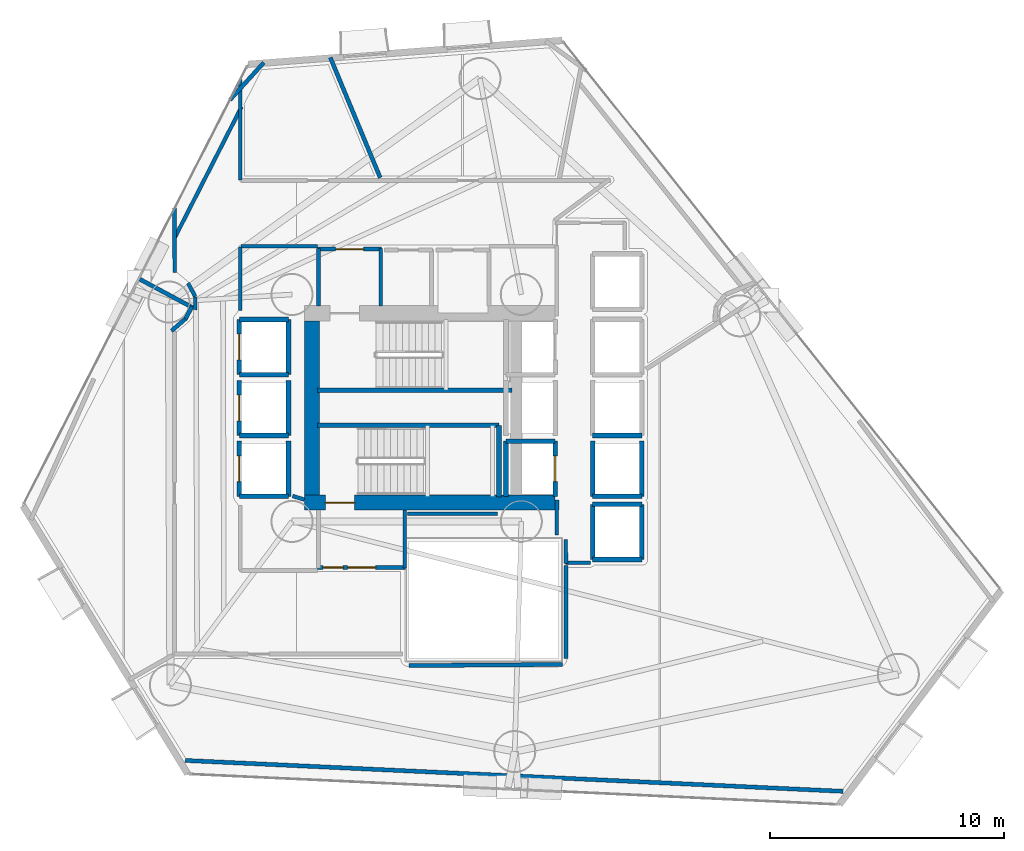
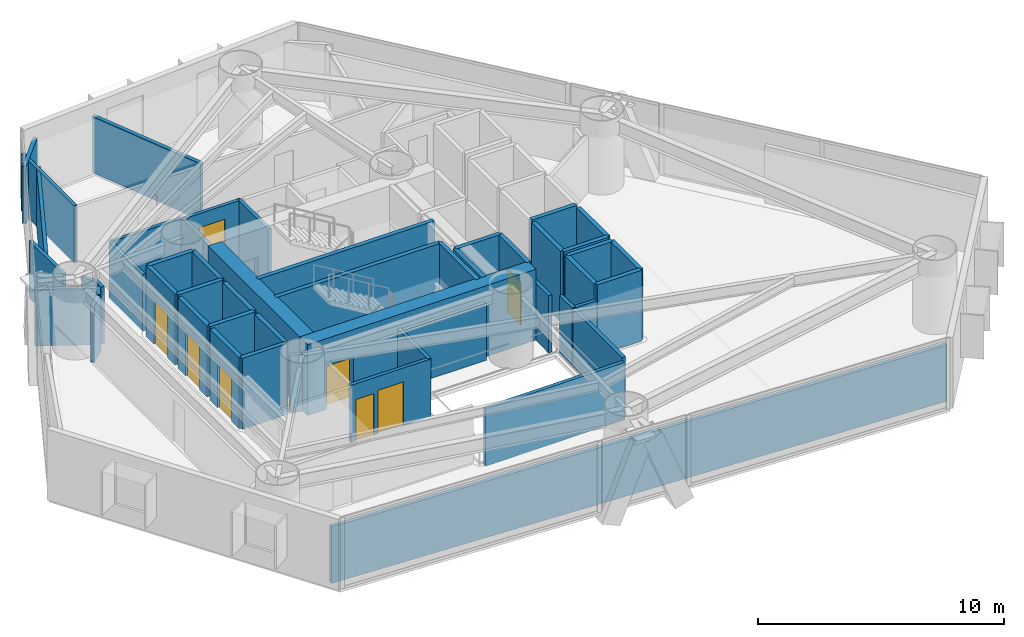
# One storey, part 17 of 23: 51 walls, 8 doors, 8 openings.
"""IFC4 building model written with IfcOpenShell, lengths in metres."""

from ifc_helpers import new_model, si_unit, direction, frame, frame_2d, origin, place, context, subcontext, project, spatial, rectangle, extrude, material, layer, layer_set, type_object, element, fill, save


model = new_model("IFC4")

# Units and contexts
model_context = context("Model", 3, precision=1e-05, world=origin(), true_north=direction((0.0, 1.0)))
body_context = subcontext(model_context, "Body", "Model", "MODEL_VIEW")
ifc_project = project(units=[si_unit("LENGTHUNIT", "METRE"), si_unit("AREAUNIT", "SQUARE_METRE"), si_unit("VOLUMEUNIT", "CUBIC_METRE"), si_unit("PLANEANGLEUNIT", "RADIAN"), si_unit("MASSUNIT", "GRAM", prefix="KILO")], contexts=[model_context])

# Site, building, storey
site_placement = place(None, origin())
site = spatial("IfcSite", under=ifc_project, at=site_placement, CompositionType="ELEMENT")
building_placement = place(site_placement, origin())
building = spatial("IfcBuilding", under=site, at=building_placement, Name="Qianvela Tower", CompositionType="ELEMENT")
storey_placement = place(building_placement, frame((0.0, 0.0, 29.39990234375)))
storey = spatial("IfcBuildingStorey", under=building, at=storey_placement, Name="L06", CompositionType="ELEMENT", Elevation=29.39990234375)

# Wall, opening, door
ifc_material_1 = material(Name="Concrete C60", Category="concrete")
ifc_layer_1 = layer(ifc_material_1, 0.64990234375)
ifc_layer_set_1 = layer_set([ifc_layer_1], Name="Concrete C60")
wall_type_1 = type_object("IfcWallType", Name="WT-CORE-650", PredefinedType="SHEAR", material=ifc_layer_set_1)
wall_1_placement = place(storey_placement, frame((29.1298828125, 24.655029296875, 0.0), z_axis=(0.0, 0.0, 1.0), x_axis=(1.0, 0.0, 0.0)))
wall_1 = element("IfcWall", 1, at=wall_1_placement, inside=storey, type_object=wall_type_1, Name="L06 South Core Shear Wall", PredefinedType="SHEAR", context=body_context, shape_type="SweptSolid", body=[
    extrude(rectangle(XDim=10.72021484375, YDim=0.64990234375, at=frame_2d((5.360107421875, 0.0))), origin(), (0.0, 0.0, 1.0), 3.52001953125),
])
opening_1_placement = place(wall_1_placement, frame((0.89501953125, 0.0, 0.0)))
opening_1 = element("IfcOpeningElement", 2, at=opening_1_placement, cuts=wall_1, Name="Opening D-ST1", PredefinedType="OPENING", context=body_context, shape_type="SweptSolid", body=[
    extrude(rectangle(XDim=1.25, YDim=2.14990234375, at=frame_2d((0.625, 1.074951171875))), frame((0.0, 0.3349609375, 0.0), z_axis=(0.0, -1.0, 0.0), x_axis=(1.0, 0.0, 0.0)), (0.0, 0.0, 1.0), 0.669921875),
])
ifc_material_2 = material(Name="Galvanised Fire Steel Q355B", Category="steel")
door_type_1 = type_object("IfcDoorType", Name="DT-STAIR-FD90", OperationType="NOTDEFINED", PredefinedType="DOOR", material=ifc_material_2)
door_1_placement = place(opening_1_placement, origin())
door_1 = element("IfcDoor", 3, at=door_1_placement, inside=storey, type_object=door_type_1, Name="L06 Stair ST-2 Exit Door", OperationType="SINGLE_SWING_RIGHT", OverallHeight=2.14990234375, OverallWidth=1.25, PredefinedType="DOOR", context=body_context, shape_type="SweptSolid", body=[
    extrude(rectangle(XDim=1.25, YDim=2.14990234375, at=frame_2d((0.625, 1.074951171875))), frame((0.0, 0.02490234375, 0.0), z_axis=(0.0, -1.0, 0.0), x_axis=(1.0, 0.0, 0.0)), (0.0, 0.0, 1.0), 0.050048828125),
])
fill(opening_1, door_1)

# Walls
wall_2_placement = place(storey_placement, frame((29.455078125, 24.97998046875, 0.0), z_axis=(0.0, 0.0, 1.0), x_axis=(0.0, 1.0, 0.0)))
element("IfcWall", 4, at=wall_2_placement, inside=storey, type_object=wall_type_1, Name="L06 West Core Shear Wall", PredefinedType="SHEAR", context=body_context, shape_type="SweptSolid", body=[
    extrude(rectangle(XDim=7.43994140625, YDim=0.64990234375, at=frame_2d((3.719970703125, 0.0))), origin(), (0.0, 0.0, 1.0), 3.52001953125),
])
ifc_material_3 = material(Name="Fire-Rated Gypsum and Concrete Block", Category="concrete")
ifc_layer_2 = layer(ifc_material_3, 0.159912109375)
ifc_layer_set_2 = layer_set([ifc_layer_2], Name="Fire-Rated Gypsum and Concrete Block")
wall_type_2 = type_object("IfcWallType", Name="WT-CORR-160", PredefinedType="PARTITIONING", material=ifc_layer_set_2)
wall_3_placement = place(storey_placement, frame((29.73095703125, 33.05810546875, 0.0), z_axis=(0.0, 0.0, 1.0), x_axis=(0.0, 1.0, 0.0)))
element("IfcWall", 5, at=wall_3_placement, inside=storey, type_object=wall_type_2, Name="L06 Partition 2", PredefinedType="PARTITIONING", context=body_context, shape_type="SweptSolid", body=[
    extrude(rectangle(XDim=2.4619140625, YDim=0.159912109375, at=frame_2d((1.23095703125, 0.0))), origin(), (0.0, 0.0, 1.0), 2.840087890625),
])

# Wall, opening, door
wall_4_placement = place(storey_placement, frame((29.699951171875, 35.489013671875, 0.0), z_axis=(0.0, 0.0, 1.0), x_axis=(1.0, 0.0, 0.0)))
wall_4 = element("IfcWall", 6, at=wall_4_placement, inside=storey, type_object=wall_type_2, Name="L06 Partition 3", PredefinedType="PARTITIONING", context=body_context, shape_type="SweptSolid", body=[
    extrude(rectangle(XDim=2.719970703125, YDim=0.159912109375, at=frame_2d((1.35986328125, 0.0))), origin(), (0.0, 0.0, 1.0), 2.840087890625),
])
opening_2_placement = place(wall_4_placement, frame((0.760009765625, 0.0, 0.0)))
opening_2 = element("IfcOpeningElement", 7, at=opening_2_placement, cuts=wall_4, Name="Opening D-LB1", PredefinedType="OPENING", context=body_context, shape_type="SweptSolid", body=[
    extrude(rectangle(XDim=1.199951171875, YDim=2.14990234375, at=frame_2d((0.60009765625, 1.074951171875))), frame((0.0, 0.08984375, 0.0), z_axis=(0.0, -1.0, 0.0), x_axis=(1.0, 0.0, 0.0)), (0.0, 0.0, 1.0), 0.179931640625),
])
ifc_material_4 = material(Name="Glazed Fire-Rated Steel Frame", Category="steel")
door_type_2 = type_object("IfcDoorType", Name="DT-LOBBY-FD90", OperationType="NOTDEFINED", PredefinedType="DOOR", material=ifc_material_4)
door_2_placement = place(opening_2_placement, origin())
door_2 = element("IfcDoor", 8, at=door_2_placement, inside=storey, type_object=door_type_2, Name="L06 Door L06 Firefighting Lobby North to L06 Floor Corridor", OperationType="SINGLE_SWING_RIGHT", OverallHeight=2.14990234375, OverallWidth=1.199951171875, PredefinedType="DOOR", context=body_context, shape_type="SweptSolid", body=[
    extrude(rectangle(XDim=1.199951171875, YDim=2.14990234375, at=frame_2d((0.60009765625, 1.074951171875))), frame((0.0, 0.02490234375, 0.0), z_axis=(0.0, -1.0, 0.0), x_axis=(1.0, 0.0, 0.0)), (0.0, 0.0, 1.0), 0.050048828125),
])
fill(opening_2, door_2)

# Wall
wall_5_placement = place(storey_placement, frame((32.388916015625, 35.52001953125, 0.0), z_axis=(0.0, 0.0, 1.0), x_axis=(0.0, -1.0, 0.0)))
element("IfcWall", 9, at=wall_5_placement, inside=storey, type_object=wall_type_2, Name="L06 Partition 4", PredefinedType="PARTITIONING", context=body_context, shape_type="SweptSolid", body=[
    extrude(rectangle(XDim=2.4619140625, YDim=0.159912109375, at=frame_2d((1.23095703125, 0.0))), origin(), (0.0, 0.0, 1.0), 2.840087890625),
])

# Wall, openings, doors
wall_6_placement = place(storey_placement, frame((33.449951171875, 21.881103515625, 0.0), z_axis=(0.0, 0.0, 1.0), x_axis=(-1.0, 0.0, 0.0)))
wall_6 = element("IfcWall", 10, at=wall_6_placement, inside=storey, type_object=wall_type_2, Name="L06 Partition 5", PredefinedType="PARTITIONING", context=body_context, shape_type="SweptSolid", body=[
    extrude(rectangle(XDim=3.75, YDim=0.159912109375, at=frame_2d((1.875, 0.0))), origin(), (0.0, 0.0, 1.0), 2.840087890625),
])
opening_3_placement = place(wall_6_placement, frame((1.27490234375, 0.0, 0.0)))
opening_3 = element("IfcOpeningElement", 11, at=opening_3_placement, cuts=wall_6, Name="Opening D-LB1", PredefinedType="OPENING", context=body_context, shape_type="SweptSolid", body=[
    extrude(rectangle(XDim=1.199951171875, YDim=2.14990234375, at=frame_2d((0.60009765625, 1.074951171875))), frame((0.0, 0.08984375, 0.0), z_axis=(0.0, -1.0, 0.0), x_axis=(1.0, 0.0, 0.0)), (0.0, 0.0, 1.0), 0.179931640625),
])
opening_4_placement = place(wall_6_placement, frame((2.659912109375, 0.0, 0.0)))
opening_4 = element("IfcOpeningElement", 12, at=opening_4_placement, cuts=wall_6, Name="Opening D-LB2", PredefinedType="OPENING", context=body_context, shape_type="SweptSolid", body=[
    extrude(rectangle(XDim=0.860107421875, YDim=2.050048828125, at=frame_2d((0.43017578125, 1.02490234375))), frame((0.0, 0.08984375, 0.0), z_axis=(0.0, -1.0, 0.0), x_axis=(1.0, 0.0, 0.0)), (0.0, 0.0, 1.0), 0.179931640625),
])
door_3_placement = place(opening_3_placement, origin())
door_3 = element("IfcDoor", 13, at=door_3_placement, inside=storey, type_object=door_type_2, Name="L06 Door L06 Firefighting Lobby South to L06 Floor Corridor", OperationType="SINGLE_SWING_LEFT", OverallHeight=2.14990234375, OverallWidth=1.199951171875, PredefinedType="DOOR", context=body_context, shape_type="SweptSolid", body=[
    extrude(rectangle(XDim=1.199951171875, YDim=2.14990234375, at=frame_2d((0.60009765625, 1.074951171875))), frame((0.0, 0.02490234375, 0.0), z_axis=(0.0, -1.0, 0.0), x_axis=(1.0, 0.0, 0.0)), (0.0, 0.0, 1.0), 0.050048828125),
])
fill(opening_3, door_3)
ifc_material_5 = material(Name="Insulated Steel Fire Door Q355B", Category="steel")
door_type_3 = type_object("IfcDoorType", Name="DT-LOBBY-FD90-860", OperationType="NOTDEFINED", PredefinedType="DOOR", material=ifc_material_5)
door_4_placement = place(opening_4_placement, origin())
door_4 = element("IfcDoor", 14, at=door_4_placement, inside=storey, type_object=door_type_3, Name="L06 Door L06 Firefighting Lobby South to L06 Floor Corridor", OperationType="SINGLE_SWING_LEFT", OverallHeight=2.050048828125, OverallWidth=0.860107421875, PredefinedType="DOOR", context=body_context, shape_type="SweptSolid", body=[
    extrude(rectangle(XDim=0.860107421875, YDim=2.050048828125, at=frame_2d((0.43017578125, 1.02490234375))), frame((0.0, 0.02490234375, 0.0), z_axis=(0.0, -1.0, 0.0), x_axis=(1.0, 0.0, 0.0)), (0.0, 0.0, 1.0), 0.050048828125),
])
fill(opening_4, door_4)

# Walls
wall_7_placement = place(storey_placement, frame((33.4189453125, 24.342041015625, 0.0), z_axis=(0.0, 0.0, 1.0), x_axis=(0.0, -1.0, 0.0)))
element("IfcWall", 15, at=wall_7_placement, inside=storey, type_object=wall_type_2, Name="L06 Partition 8", PredefinedType="PARTITIONING", context=body_context, shape_type="SweptSolid", body=[
    extrude(rectangle(XDim=2.491943359375, YDim=0.159912109375, at=frame_2d((1.24609375, 0.0))), origin(), (0.0, 0.0, 1.0), 2.840087890625),
])
wall_8_placement = place(storey_placement, frame((41.360107421875, 22.0810546875, 0.0), z_axis=(0.0, 0.0, 1.0), x_axis=(-1.0, 0.0, 0.0)))
element("IfcWall", 16, at=wall_8_placement, inside=storey, type_object=wall_type_2, Name="L06 Partition 15", PredefinedType="PARTITIONING", context=body_context, shape_type="SweptSolid", body=[
    extrude(rectangle(XDim=1.080078125, YDim=0.159912109375, at=frame_2d((0.5400390625, 0.0))), origin(), (0.0, 0.0, 1.0), 2.840087890625),
])
wall_9_placement = place(storey_placement, frame((40.31103515625, 22.05029296875, 0.0), z_axis=(0.0, 0.0, 1.0), x_axis=(-0.011836292006, 0.999929948642, 0.0)))
element("IfcWall", 17, at=wall_9_placement, inside=storey, type_object=wall_type_2, Name="L06 Partition 16", PredefinedType="PARTITIONING", context=body_context, shape_type="SweptSolid", body=[
    extrude(rectangle(XDim=1.03125, YDim=0.159912109375, at=frame_2d((0.515625, 0.0))), origin(), (0.0, 0.0, 1.0), 2.840087890625),
])
wall_10_placement = place(storey_placement, frame((39.910888671875, 23.27978515625, 0.0), z_axis=(0.0, 0.0, 1.0), x_axis=(0.009397771291, 0.999955839972, 0.0)))
element("IfcWall", 18, at=wall_10_placement, inside=storey, type_object=wall_type_2, Name="L06 Partition 17", PredefinedType="PARTITIONING", context=body_context, shape_type="SweptSolid", body=[
    extrude(rectangle(XDim=1.480712890625, YDim=0.159912109375, at=frame_2d((0.740234375, 0.0))), origin(), (0.0, 0.0, 1.0), 2.840087890625),
])
wall_11_placement = place(storey_placement, frame((29.1298828125, 24.781982421875, 0.0), z_axis=(0.0, 0.0, 1.0), x_axis=(-0.955000482512, 0.296604245422, 0.0)))
element("IfcWall", 19, at=wall_11_placement, inside=storey, type_object=wall_type_2, Name="L06 Partition 31", PredefinedType="PARTITIONING", context=body_context, shape_type="SweptSolid", body=[
    extrude(rectangle(XDim=0.5244140625, YDim=0.159912109375, at=frame_2d((0.26220703125, 0.0))), origin(), (0.0, 0.0, 1.0), 2.840087890625),
])
wall_12_placement = place(storey_placement, frame((37.388671875, 24.180908203125, 0.0), z_axis=(0.0, 0.0, 1.0), x_axis=(-1.0, 0.0, 0.0)))
element("IfcWall", 20, at=wall_12_placement, inside=storey, type_object=wall_type_2, Name="L06 Partition 37", PredefinedType="PARTITIONING", context=body_context, shape_type="SweptSolid", body=[
    extrude(rectangle(XDim=3.858642578125, YDim=0.159912109375, at=frame_2d((1.92919921875, 0.0))), origin(), (0.0, 0.0, 1.0), 2.840087890625),
])
wall_13_placement = place(storey_placement, frame((24.4638671875, 33.461181640625, 0.0), z_axis=(0.0, 0.0, 1.0), x_axis=(-0.4715232649, 0.881853622014, 0.0)))
element("IfcWall", 21, at=wall_13_placement, inside=storey, type_object=wall_type_2, Name="L06 Partition 38", PredefinedType="PARTITIONING", context=body_context, shape_type="SweptSolid", body=[
    extrude(rectangle(XDim=0.650390625, YDim=0.159912109375, at=frame_2d((0.3251953125, 0.0))), origin(), (0.0, 0.0, 1.0), 2.798095703125),
])
wall_14_placement = place(storey_placement, frame((23.586669921875, 34.491455078125, 0.0), z_axis=(0.0, 0.0, 1.0), x_axis=(-0.003825594781, 0.999992682386, 0.0)))
element("IfcWall", 22, at=wall_14_placement, inside=storey, type_object=wall_type_2, Name="L06 Partition 40", PredefinedType="PARTITIONING", context=body_context, shape_type="SweptSolid", body=[
    extrude(rectangle(XDim=2.744140625, YDim=0.159912109375, at=frame_2d((1.3720703125, 0.0))), origin(), (0.0, 0.0, 1.0), 2.840087890625),
])
wall_15_placement = place(storey_placement, frame((23.57763671875, 35.951171875, 0.0), z_axis=(0.0, 0.0, 1.0), x_axis=(0.454592450263, 0.890699558866, 0.0)))
element("IfcWall", 23, at=wall_15_placement, inside=storey, type_object=wall_type_2, Name="L06 Partition 41", PredefinedType="PARTITIONING", context=body_context, shape_type="SweptSolid", body=[
    extrude(rectangle(XDim=6.31298828125, YDim=0.159912109375, at=frame_2d((3.156494140625, 0.0))), origin(), (0.0, 0.0, 1.0), 2.840087890625),
])
wall_16_placement = place(storey_placement, frame((26.388916015625, 42.746337890625, 0.0), z_axis=(0.0, 0.0, 1.0), x_axis=(0.0, -1.0, 0.0)))
element("IfcWall", 24, at=wall_16_placement, inside=storey, type_object=wall_type_2, Name="L06 Partition 42", PredefinedType="PARTITIONING", context=body_context, shape_type="SweptSolid", body=[
    extrude(rectangle(XDim=4.29638671875, YDim=0.159912109375, at=frame_2d((2.148193359375, 0.0))), origin(), (0.0, 0.0, 1.0), 2.840087890625),
])
wall_17_placement = place(storey_placement, frame((29.699951171875, 35.611083984375, 0.0), z_axis=(0.0, 0.0, 1.0), x_axis=(-1.0, 0.0, 0.0)))
element("IfcWall", 25, at=wall_17_placement, inside=storey, type_object=wall_type_2, Name="L06 Partition 46 seg 4", PredefinedType="PARTITIONING", context=body_context, shape_type="SweptSolid", body=[
    extrude(rectangle(XDim=3.280029296875, YDim=0.159912109375, at=frame_2d((1.64013671875, 0.0))), origin(), (0.0, 0.0, 1.0), 2.798095703125),
])
wall_18_placement = place(storey_placement, frame((26.388916015625, 35.580078125, 0.0), z_axis=(0.0, 0.0, 1.0), x_axis=(0.0, -1.0, 0.0)))
element("IfcWall", 26, at=wall_18_placement, inside=storey, type_object=wall_type_2, Name="L06 Partition 47", PredefinedType="PARTITIONING", context=body_context, shape_type="SweptSolid", body=[
    extrude(rectangle(XDim=2.71044921875, YDim=0.159912109375, at=frame_2d((1.355224609375, 0.0))), origin(), (0.0, 0.0, 1.0), 2.798095703125),
])
wall_19_placement = place(storey_placement, frame((24.45654296875, 32.8974609375, 0.0), z_axis=(0.0, 0.0, 1.0), x_axis=(0.020031598679, 0.999799347396, 0.0)))
element("IfcWall", 27, at=wall_19_placement, inside=storey, type_object=wall_type_2, Name="L06 Partition 54", PredefinedType="PARTITIONING", context=body_context, shape_type="SweptSolid", body=[
    extrude(rectangle(XDim=0.54833984375, YDim=0.159912109375, at=frame_2d((0.274169921875, 0.0))), origin(), (0.0, 0.0, 1.0), 2.840087890625),
])
ifc_material_6 = material(Name="Moisture-Resistant Acoustic Plumbing Wall")
ifc_layer_3 = layer(ifc_material_6, 0.175048828125)
ifc_layer_set_3 = layer_set([ifc_layer_3], Name="Moisture-Resistant Acoustic Plumbing Wall")
wall_type_3 = type_object("IfcWallType", Name="WT-PLUMB-175", PredefinedType="PLUMBINGWALL", material=ifc_layer_set_3)
wall_20_placement = place(storey_placement, frame((22.033203125, 34.236083984375, 0.0), z_axis=(0.0, 0.0, 1.0), x_axis=(0.880677298997, -0.473716682239, 0.0)))
element("IfcWall", 28, at=wall_20_placement, inside=storey, type_object=wall_type_3, Name="L06 Partition 55", PredefinedType="PLUMBINGWALL", context=body_context, shape_type="SweptSolid", body=[
    extrude(rectangle(XDim=2.622314453125, YDim=0.175048828125, at=frame_2d((1.31103515625, 0.0))), origin(), (0.0, 0.0, 1.0), 2.798095703125),
])
wall_21_placement = place(storey_placement, frame((24.329833984375, 33.035888671875, 0.0), z_axis=(0.0, 0.0, 1.0), x_axis=(-0.473395741492, -0.880849857772, 0.0)))
element("IfcWall", 29, at=wall_21_placement, inside=storey, type_object=wall_type_3, Name="L06 Partition 56", PredefinedType="PLUMBINGWALL", context=body_context, shape_type="SweptSolid", body=[
    extrude(rectangle(XDim=0.599853515625, YDim=0.175048828125, at=frame_2d((0.2998046875, 0.0))), origin(), (0.0, 0.0, 1.0), 2.840087890625),
])
wall_22_placement = place(storey_placement, frame((24.052734375, 32.516357421875, 0.0), z_axis=(0.0, 0.0, 1.0), x_axis=(-0.753993768579, -0.656881569953, 0.0)))
element("IfcWall", 30, at=wall_22_placement, inside=storey, type_object=wall_type_3, Name="L06 Partition 57", PredefinedType="PLUMBINGWALL", context=body_context, shape_type="SweptSolid", body=[
    extrude(rectangle(XDim=0.799560546875, YDim=0.175048828125, at=frame_2d((0.39990234375, 0.0))), origin(), (0.0, 0.0, 1.0), 2.798095703125),
])
wall_23_placement = place(storey_placement, frame((33.60009765625, 17.68896484375, 0.0), z_axis=(0.0, 0.0, 1.0), x_axis=(0.999974170588, 0.007187360901, 0.0)))
element("IfcWall", 31, at=wall_23_placement, inside=storey, type_object=wall_type_3, Name="L06 Partition 63", PredefinedType="PLUMBINGWALL", context=body_context, shape_type="SweptSolid", body=[
    extrude(rectangle(XDim=6.555908203125, YDim=0.175048828125, at=frame_2d((3.27783203125, 0.0))), origin(), (0.0, 0.0, 1.0), 2.840087890625),
])
wall_24_placement = place(storey_placement, frame((40.31103515625, 18.0, 0.0), z_axis=(0.0, 0.0, 1.0), x_axis=(0.0, 1.0, 0.0)))
element("IfcWall", 32, at=wall_24_placement, inside=storey, type_object=wall_type_3, Name="L06 Partition 64 seg 1", PredefinedType="PLUMBINGWALL", context=body_context, shape_type="SweptSolid", body=[
    extrude(rectangle(XDim=3.969970703125, YDim=0.175048828125, at=frame_2d((1.98486328125, 0.0))), origin(), (0.0, 0.0, 1.0), 2.840087890625),
])
wall_25_placement = place(storey_placement, frame((52.156494140625, 12.315673828125, 0.0), z_axis=(0.0, 0.0, 1.0), x_axis=(-0.998900535897, 0.046879839856, 0.0)))
element("IfcWall", 33, at=wall_25_placement, inside=storey, type_object=wall_type_3, Name="L06 Partition 73", PredefinedType="PLUMBINGWALL", context=body_context, shape_type="SweptSolid", body=[
    extrude(rectangle(XDim=28.148193359375, YDim=0.175048828125, at=frame_2d((14.07421875, 0.0))), origin(), (0.0, 0.0, 1.0), 2.798095703125),
])
wall_26_placement = place(storey_placement, frame((32.3701171875, 38.5419921875, 0.0), z_axis=(0.0, 0.0, 1.0), x_axis=(-0.383564864304, 0.923513938645, 0.0)))
element("IfcWall", 34, at=wall_26_placement, inside=storey, type_object=wall_type_3, Name="L06 Partition 95", PredefinedType="PLUMBINGWALL", context=body_context, shape_type="SweptSolid", body=[
    extrude(rectangle(XDim=5.5625, YDim=0.175048828125, at=frame_2d((2.78125, 0.0))), origin(), (0.0, 0.0, 1.0), 2.798095703125),
])
wall_27_placement = place(storey_placement, frame((25.95166015625, 41.869384765625, 0.0), z_axis=(0.0, 0.0, 1.0), x_axis=(0.672672793996, 0.739940073396, 0.0)))
element("IfcWall", 35, at=wall_27_placement, inside=storey, type_object=wall_type_3, Name="L06 Partition 96", PredefinedType="PLUMBINGWALL", context=body_context, shape_type="SweptSolid", body=[
    extrude(rectangle(XDim=2.15234375, YDim=0.175048828125, at=frame_2d((1.076171875, 0.0))), origin(), (0.0, 0.0, 1.0), 2.840087890625),
])
ifc_material_7 = material(Name="Concrete C50", Category="concrete")
ifc_layer_4 = layer(ifc_material_7, 0.199951171875)
ifc_layer_set_4 = layer_set([ifc_layer_4], Name="Concrete C50")
wall_type_4 = type_object("IfcWallType", Name="WT-SHAFT-200", PredefinedType="SOLIDWALL", material=ifc_layer_set_4)
wall_28_placement = place(storey_placement, frame((29.699951171875, 29.449951171875, 0.0), z_axis=(0.0, 0.0, 1.0), x_axis=(1.0, 0.0, 0.0)))
element("IfcWall", 36, at=wall_28_placement, inside=storey, type_object=wall_type_4, Name="L06 Stair ST-1 South Wall", PredefinedType="SOLIDWALL", context=body_context, shape_type="SweptSolid", body=[
    extrude(rectangle(XDim=8.300048828125, YDim=0.199951171875, at=frame_2d((4.14990234375, 0.0))), origin(), (0.0, 0.0, 1.0), 3.52001953125),
])
wall_29_placement = place(storey_placement, frame((29.699951171875, 27.9599609375, 0.0), z_axis=(0.0, 0.0, 1.0), x_axis=(1.0, 0.0, 0.0)))
element("IfcWall", 37, at=wall_29_placement, inside=storey, type_object=wall_type_4, Name="L06 Stair ST-2 North Wall", PredefinedType="SOLIDWALL", context=body_context, shape_type="SweptSolid", body=[
    extrude(rectangle(XDim=7.75, YDim=0.199951171875, at=frame_2d((3.875, 0.0))), origin(), (0.0, 0.0, 1.0), 3.52001953125),
])
wall_30_placement = place(storey_placement, frame((37.449951171875, 24.89990234375, 0.0), z_axis=(0.0, 0.0, 1.0), x_axis=(0.0, 1.0, 0.0)))
element("IfcWall", 38, at=wall_30_placement, inside=storey, type_object=wall_type_4, Name="L06 Stair ST-2 East Wall", PredefinedType="SOLIDWALL", context=body_context, shape_type="SweptSolid", body=[
    extrude(rectangle(XDim=3.06005859375, YDim=0.199951171875, at=frame_2d((1.530029296875, 0.0))), origin(), (0.0, 0.0, 1.0), 3.52001953125),
])

# Wall, opening, door
wall_31_placement = place(storey_placement, frame((39.85009765625, 24.919921875, 0.0), z_axis=(0.0, 0.0, 1.0), x_axis=(0.0, 1.0, 0.0)))
wall_31 = element("IfcWall", 39, at=wall_31_placement, inside=storey, type_object=wall_type_4, Name="L06 Lift FL-2 E Shaft Wall", PredefinedType="SOLIDWALL", context=body_context, shape_type="SweptSolid", body=[
    extrude(rectangle(XDim=2.360107421875, YDim=0.199951171875, at=frame_2d((1.18017578125, 0.0))), origin(), (0.0, 0.0, 1.0), 3.52001953125),
])
opening_5_placement = place(wall_31_placement, frame((0.6298828125, 0.0, 0.0)))
opening_5 = element("IfcOpeningElement", 40, at=opening_5_placement, cuts=wall_31, Name="Opening LD-01", PredefinedType="OPENING", context=body_context, shape_type="SweptSolid", body=[
    extrude(rectangle(XDim=1.10009765625, YDim=2.14990234375, at=frame_2d((0.550048828125, 1.074951171875))), frame((0.0, 0.10986328125, 0.0), z_axis=(0.0, -1.0, 0.0), x_axis=(1.0, 0.0, 0.0)), (0.0, 0.0, 1.0), 0.219970703125),
])
ifc_material_8 = material(Name="Brushed Stainless Steel Lift Landing Door", Category="steel")
door_type_4 = type_object("IfcDoorType", Name="DT-LIFT-SLIDE-1100", OperationType="SLIDING_TO_LEFT", PredefinedType="DOOR", material=ifc_material_8)
door_5_placement = place(opening_5_placement, origin())
door_5 = element("IfcDoor", 41, at=door_5_placement, inside=storey, type_object=door_type_4, Name="L06 Lift FL-2 Sliding Landing Door", OperationType="SLIDING_TO_LEFT", OverallHeight=2.14990234375, OverallWidth=1.10009765625, PredefinedType="DOOR", context=body_context, shape_type="SweptSolid", body=[
    extrude(rectangle(XDim=1.10009765625, YDim=2.14990234375, at=frame_2d((0.550048828125, 1.074951171875))), frame((0.0, 0.02490234375, 0.0), z_axis=(0.0, -1.0, 0.0), x_axis=(1.0, 0.0, 0.0)), (0.0, 0.0, 1.0), 0.050048828125),
])
fill(opening_5, door_5)

# Walls
wall_32_placement = place(storey_placement, frame((37.75, 24.919921875, 0.0), z_axis=(0.0, 0.0, 1.0), x_axis=(0.0, 1.0, 0.0)))
element("IfcWall", 42, at=wall_32_placement, inside=storey, type_object=wall_type_4, Name="L06 Lift FL-2 W Shaft Wall", PredefinedType="SOLIDWALL", context=body_context, shape_type="SweptSolid", body=[
    extrude(rectangle(XDim=2.360107421875, YDim=0.199951171875, at=frame_2d((1.18017578125, 0.0))), origin(), (0.0, 0.0, 1.0), 3.52001953125),
])
wall_33_placement = place(storey_placement, frame((37.75, 27.280029296875, 0.0), z_axis=(0.0, 0.0, 1.0), x_axis=(1.0, 0.0, 0.0)))
element("IfcWall", 43, at=wall_33_placement, inside=storey, type_object=wall_type_4, Name="L06 Lift FL-2 N Shaft Wall", PredefinedType="SOLIDWALL", context=body_context, shape_type="SweptSolid", body=[
    extrude(rectangle(XDim=2.10009765625, YDim=0.199951171875, at=frame_2d((1.050048828125, 0.0))), origin(), (0.0, 0.0, 1.0), 3.52001953125),
])
wall_34_placement = place(storey_placement, frame((28.449951171875, 30.1201171875, 0.0), z_axis=(0.0, 0.0, 1.0), x_axis=(0.0, 1.0, 0.0)))
element("IfcWall", 44, at=wall_34_placement, inside=storey, type_object=wall_type_4, Name="L06 Lift PL-L1 E Shaft Wall", PredefinedType="SOLIDWALL", context=body_context, shape_type="SweptSolid", body=[
    extrude(rectangle(XDim=2.35986328125, YDim=0.199951171875, at=frame_2d((1.179931640625, 0.0))), origin(), (0.0, 0.0, 1.0), 3.52001953125),
])

# Wall, opening, door
wall_35_placement = place(storey_placement, frame((26.35009765625, 30.1201171875, 0.0), z_axis=(0.0, 0.0, 1.0), x_axis=(0.0, 1.0, 0.0)))
wall_35 = element("IfcWall", 45, at=wall_35_placement, inside=storey, type_object=wall_type_4, Name="L06 Lift PL-L1 W Shaft Wall", PredefinedType="SOLIDWALL", context=body_context, shape_type="SweptSolid", body=[
    extrude(rectangle(XDim=2.35986328125, YDim=0.199951171875, at=frame_2d((1.179931640625, 0.0))), origin(), (0.0, 0.0, 1.0), 3.52001953125),
])
opening_6_placement = place(wall_35_placement, frame((0.6298828125, 0.0, 0.0)))
opening_6 = element("IfcOpeningElement", 46, at=opening_6_placement, cuts=wall_35, Name="Opening LD-01", PredefinedType="OPENING", context=body_context, shape_type="SweptSolid", body=[
    extrude(rectangle(XDim=1.10009765625, YDim=2.14990234375, at=frame_2d((0.550048828125, 1.074951171875))), frame((0.0, 0.10986328125, 0.0), z_axis=(0.0, -1.0, 0.0), x_axis=(1.0, 0.0, 0.0)), (0.0, 0.0, 1.0), 0.219970703125),
])
door_6_placement = place(opening_6_placement, origin())
door_6 = element("IfcDoor", 47, at=door_6_placement, inside=storey, type_object=door_type_4, Name="L06 Lift PL-L1 Sliding Landing Door", OperationType="SLIDING_TO_LEFT", OverallHeight=2.14990234375, OverallWidth=1.10009765625, PredefinedType="DOOR", context=body_context, shape_type="SweptSolid", body=[
    extrude(rectangle(XDim=1.10009765625, YDim=2.14990234375, at=frame_2d((0.550048828125, 1.074951171875))), frame((0.0, 0.02490234375, 0.0), z_axis=(0.0, -1.0, 0.0), x_axis=(1.0, 0.0, 0.0)), (0.0, 0.0, 1.0), 0.050048828125),
])
fill(opening_6, door_6)

# Walls
for number, where, z_axis, x_axis, name in (
    (48, (26.35009765625, 32.47998046875, 0.0), (0.0, 0.0, 1.0), (1.0, 0.0, 0.0), "L06 Lift PL-L1 N Shaft Wall"),
    (49, (26.35009765625, 30.1201171875, 0.0), (0.0, 0.0, 1.0), (1.0, 0.0, 0.0), "L06 Lift PL-L1 S Shaft Wall"),
):
    element("IfcWall", number, at=place(storey_placement, frame(where, z_axis=z_axis, x_axis=x_axis)), inside=storey, type_object=wall_type_4, Name=name, PredefinedType="SOLIDWALL", context=body_context, shape_type="SweptSolid", body=[
        extrude(rectangle(XDim=2.099853515625, YDim=0.199951171875, at=frame_2d((1.0498046875, 0.0))), origin(), (0.0, 0.0, 1.0), 3.52001953125),
    ])
wall_36_placement = place(storey_placement, frame((28.449951171875, 27.52001953125, 0.0), z_axis=(0.0, 0.0, 1.0), x_axis=(0.0, 1.0, 0.0)))
element("IfcWall", 50, at=wall_36_placement, inside=storey, type_object=wall_type_4, Name="L06 Lift PL-L2 E Shaft Wall", PredefinedType="SOLIDWALL", context=body_context, shape_type="SweptSolid", body=[
    extrude(rectangle(XDim=2.35986328125, YDim=0.199951171875, at=frame_2d((1.179931640625, 0.0))), origin(), (0.0, 0.0, 1.0), 3.52001953125),
])

# Wall, opening, door
wall_37_placement = place(storey_placement, frame((26.35009765625, 27.52001953125, 0.0), z_axis=(0.0, 0.0, 1.0), x_axis=(0.0, 1.0, 0.0)))
wall_37 = element("IfcWall", 51, at=wall_37_placement, inside=storey, type_object=wall_type_4, Name="L06 Lift PL-L2 W Shaft Wall", PredefinedType="SOLIDWALL", context=body_context, shape_type="SweptSolid", body=[
    extrude(rectangle(XDim=2.35986328125, YDim=0.199951171875, at=frame_2d((1.179931640625, 0.0))), origin(), (0.0, 0.0, 1.0), 3.52001953125),
])
opening_7_placement = place(wall_37_placement, frame((0.6298828125, 0.0, 0.0)))
opening_7 = element("IfcOpeningElement", 52, at=opening_7_placement, cuts=wall_37, Name="Opening LD-01", PredefinedType="OPENING", context=body_context, shape_type="SweptSolid", body=[
    extrude(rectangle(XDim=1.10009765625, YDim=2.14990234375, at=frame_2d((0.550048828125, 1.074951171875))), frame((0.0, 0.10986328125, 0.0), z_axis=(0.0, -1.0, 0.0), x_axis=(1.0, 0.0, 0.0)), (0.0, 0.0, 1.0), 0.219970703125),
])
door_7_placement = place(opening_7_placement, origin())
door_7 = element("IfcDoor", 53, at=door_7_placement, inside=storey, type_object=door_type_4, Name="L06 Lift PL-L2 Sliding Landing Door", OperationType="SLIDING_TO_LEFT", OverallHeight=2.14990234375, OverallWidth=1.10009765625, PredefinedType="DOOR", context=body_context, shape_type="SweptSolid", body=[
    extrude(rectangle(XDim=1.10009765625, YDim=2.14990234375, at=frame_2d((0.550048828125, 1.074951171875))), frame((0.0, 0.02490234375, 0.0), z_axis=(0.0, -1.0, 0.0), x_axis=(1.0, 0.0, 0.0)), (0.0, 0.0, 1.0), 0.050048828125),
])
fill(opening_7, door_7)

# Walls
wall_38_placement = place(storey_placement, frame((26.35009765625, 27.52001953125, 0.0), z_axis=(0.0, 0.0, 1.0), x_axis=(1.0, 0.0, 0.0)))
element("IfcWall", 54, at=wall_38_placement, inside=storey, type_object=wall_type_4, Name="L06 Lift PL-L2 S Shaft Wall", PredefinedType="SOLIDWALL", context=body_context, shape_type="SweptSolid", body=[
    extrude(rectangle(XDim=2.099853515625, YDim=0.199951171875, at=frame_2d((1.0498046875, 0.0))), origin(), (0.0, 0.0, 1.0), 3.52001953125),
])
wall_39_placement = place(storey_placement, frame((28.449951171875, 24.919921875, 0.0), z_axis=(0.0, 0.0, 1.0), x_axis=(0.0, 1.0, 0.0)))
element("IfcWall", 55, at=wall_39_placement, inside=storey, type_object=wall_type_4, Name="L06 Lift PL-L3 E Shaft Wall", PredefinedType="SOLIDWALL", context=body_context, shape_type="SweptSolid", body=[
    extrude(rectangle(XDim=2.360107421875, YDim=0.199951171875, at=frame_2d((1.18017578125, 0.0))), origin(), (0.0, 0.0, 1.0), 3.52001953125),
])

# Wall, opening, door
wall_40_placement = place(storey_placement, frame((26.35009765625, 24.919921875, 0.0), z_axis=(0.0, 0.0, 1.0), x_axis=(0.0, 1.0, 0.0)))
wall_40 = element("IfcWall", 56, at=wall_40_placement, inside=storey, type_object=wall_type_4, Name="L06 Lift PL-L3 W Shaft Wall", PredefinedType="SOLIDWALL", context=body_context, shape_type="SweptSolid", body=[
    extrude(rectangle(XDim=2.360107421875, YDim=0.199951171875, at=frame_2d((1.18017578125, 0.0))), origin(), (0.0, 0.0, 1.0), 3.52001953125),
])
opening_8_placement = place(wall_40_placement, frame((0.6298828125, 0.0, 0.0)))
opening_8 = element("IfcOpeningElement", 57, at=opening_8_placement, cuts=wall_40, Name="Opening LD-01", PredefinedType="OPENING", context=body_context, shape_type="SweptSolid", body=[
    extrude(rectangle(XDim=1.10009765625, YDim=2.14990234375, at=frame_2d((0.550048828125, 1.074951171875))), frame((0.0, 0.10986328125, 0.0), z_axis=(0.0, -1.0, 0.0), x_axis=(1.0, 0.0, 0.0)), (0.0, 0.0, 1.0), 0.219970703125),
])
door_8_placement = place(opening_8_placement, origin())
door_8 = element("IfcDoor", 58, at=door_8_placement, inside=storey, type_object=door_type_4, Name="L06 Lift PL-L3 Sliding Landing Door", OperationType="SLIDING_TO_LEFT", OverallHeight=2.14990234375, OverallWidth=1.10009765625, PredefinedType="DOOR", context=body_context, shape_type="SweptSolid", body=[
    extrude(rectangle(XDim=1.10009765625, YDim=2.14990234375, at=frame_2d((0.550048828125, 1.074951171875))), frame((0.0, 0.02490234375, 0.0), z_axis=(0.0, -1.0, 0.0), x_axis=(1.0, 0.0, 0.0)), (0.0, 0.0, 1.0), 0.050048828125),
])
fill(opening_8, door_8)

# Walls
wall_41_placement = place(storey_placement, frame((26.35009765625, 24.919921875, 0.0), z_axis=(0.0, 0.0, 1.0), x_axis=(1.0, 0.0, 0.0)))
element("IfcWall", 59, at=wall_41_placement, inside=storey, type_object=wall_type_4, Name="L06 Lift PL-L3 S Shaft Wall", PredefinedType="SOLIDWALL", context=body_context, shape_type="SweptSolid", body=[
    extrude(rectangle(XDim=2.099853515625, YDim=0.199951171875, at=frame_2d((1.0498046875, 0.0))), origin(), (0.0, 0.0, 1.0), 3.52001953125),
])
wall_42_placement = place(storey_placement, frame((41.449951171875, 27.52001953125, 0.0), z_axis=(0.0, 0.0, 1.0), x_axis=(1.0, 0.0, 0.0)))
element("IfcWall", 60, at=wall_42_placement, inside=storey, type_object=wall_type_4, Name="L06 Lift PL-M2 S Shaft Wall", PredefinedType="SOLIDWALL", context=body_context, shape_type="SweptSolid", body=[
    extrude(rectangle(XDim=2.10009765625, YDim=0.199951171875, at=frame_2d((1.050048828125, 0.0))), origin(), (0.0, 0.0, 1.0), 3.52001953125),
])
for number, where, z_axis, x_axis, name in (
    (61, (43.550048828125, 24.919921875, 0.0), (0.0, 0.0, 1.0), (0.0, 1.0, 0.0), "L06 Lift PL-M3 E Shaft Wall"),
    (62, (41.449951171875, 24.919921875, 0.0), (0.0, 0.0, 1.0), (0.0, 1.0, 0.0), "L06 Lift PL-M3 W Shaft Wall"),
):
    element("IfcWall", number, at=place(storey_placement, frame(where, z_axis=z_axis, x_axis=x_axis)), inside=storey, type_object=wall_type_4, Name=name, PredefinedType="SOLIDWALL", context=body_context, shape_type="SweptSolid", body=[
        extrude(rectangle(XDim=2.360107421875, YDim=0.199951171875, at=frame_2d((1.18017578125, 0.0))), origin(), (0.0, 0.0, 1.0), 3.52001953125),
    ])
wall_43_placement = place(storey_placement, frame((41.449951171875, 24.919921875, 0.0), z_axis=(0.0, 0.0, 1.0), x_axis=(1.0, 0.0, 0.0)))
element("IfcWall", 63, at=wall_43_placement, inside=storey, type_object=wall_type_4, Name="L06 Lift PL-M3 S Shaft Wall", PredefinedType="SOLIDWALL", context=body_context, shape_type="SweptSolid", body=[
    extrude(rectangle(XDim=2.10009765625, YDim=0.199951171875, at=frame_2d((1.050048828125, 0.0))), origin(), (0.0, 0.0, 1.0), 3.52001953125),
])
for number, where, z_axis, x_axis, name in (
    (64, (43.550048828125, 22.219970703125, 0.0), (0.0, 0.0, 1.0), (0.0, 1.0, 0.0), "L06 Lift PL-H2 E Shaft Wall"),
    (65, (41.449951171875, 22.219970703125, 0.0), (0.0, 0.0, 1.0), (0.0, 1.0, 0.0), "L06 Lift PL-H2 W Shaft Wall"),
):
    element("IfcWall", number, at=place(storey_placement, frame(where, z_axis=z_axis, x_axis=x_axis)), inside=storey, type_object=wall_type_4, Name=name, PredefinedType="SOLIDWALL", context=body_context, shape_type="SweptSolid", body=[
        extrude(rectangle(XDim=2.360107421875, YDim=0.199951171875, at=frame_2d((1.18017578125, 0.0))), origin(), (0.0, 0.0, 1.0), 3.52001953125),
    ])
for number, where, z_axis, x_axis, name in (
    (66, (41.449951171875, 24.580078125, 0.0), (0.0, 0.0, 1.0), (1.0, 0.0, 0.0), "L06 Lift PL-H2 N Shaft Wall"),
    (67, (41.449951171875, 22.219970703125, 0.0), (0.0, 0.0, 1.0), (1.0, 0.0, 0.0), "L06 Lift PL-H2 S Shaft Wall"),
):
    element("IfcWall", number, at=place(storey_placement, frame(where, z_axis=z_axis, x_axis=x_axis)), inside=storey, type_object=wall_type_4, Name=name, PredefinedType="SOLIDWALL", context=body_context, shape_type="SweptSolid", body=[
        extrude(rectangle(XDim=2.10009765625, YDim=0.199951171875, at=frame_2d((1.050048828125, 0.0))), origin(), (0.0, 0.0, 1.0), 3.52001953125),
    ])

save(model, "model.ifc")
